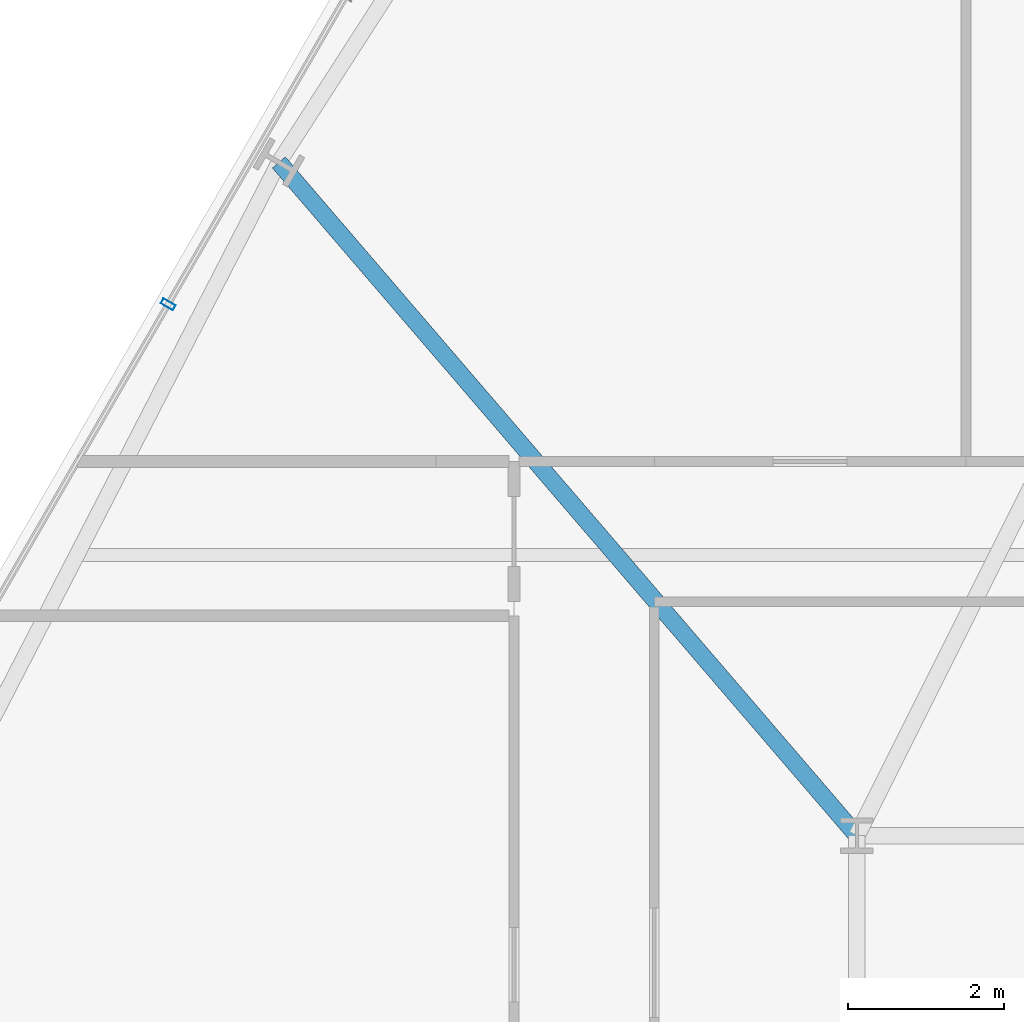
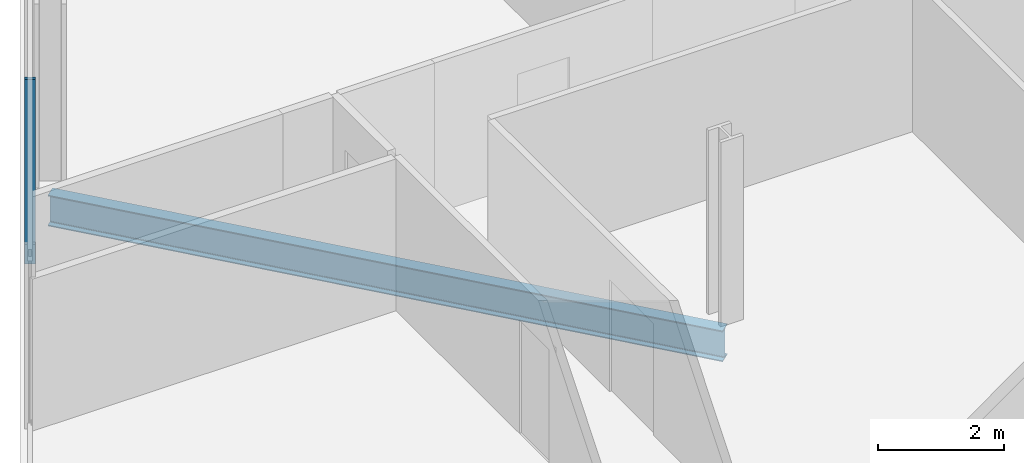
# One storey, part 12 of 32: 1 beam, 1 member, 1 element without a shape of its own.
"""IFC4 building model written with IfcOpenShell, lengths in metres."""

from ifc_helpers import new_model, si_unit, direction, frame, origin, origin_2d, place, context, subcontext, project, spatial, hollow_rectangle, i_section, extrude, material, layer, layer_set, material_profile, profile_set, type_object, element, aggregate, save


model = new_model("IFC4")

# Units and contexts
model_context = context("Model", 3, precision=1e-05, world=origin(), true_north=direction((0.0, 1.0)))
body_context = subcontext(model_context, "Body", "Model", "MODEL_VIEW")
ifc_project = project(units=[si_unit("LENGTHUNIT", "METRE"), si_unit("AREAUNIT", "SQUARE_METRE"), si_unit("VOLUMEUNIT", "CUBIC_METRE"), si_unit("PLANEANGLEUNIT", "RADIAN"), si_unit("MASSUNIT", "GRAM", prefix="KILO")], contexts=[model_context])

# Site, building, storey
site_placement = place(None, origin())
site = spatial("IfcSite", under=ifc_project, at=site_placement, CompositionType="ELEMENT")
building_placement = place(site_placement, origin())
building = spatial("IfcBuilding", under=site, at=building_placement, Name="Ndaravel Arena Tower", CompositionType="ELEMENT")
storey_placement = place(building_placement, frame((0.0, 0.0, 74.0)))
storey = spatial("IfcBuildingStorey", under=building, at=storey_placement, Name="L16", CompositionType="ELEMENT", Elevation=74.0)

# Beam
ifc_material_1 = material(Name="Steel S355", Category="steel")
ifc_material_profile_1 = material_profile(ifc_material_1, i_section(OverallWidth=0.219970703125, OverallDepth=0.60009765625, WebThickness=0.011962890625, FlangeThickness=0.01904296875, FilletRadius=0.02392578125, at=origin_2d()), Name="IPE 600")
ifc_profile_set_1 = profile_set([ifc_material_profile_1], Name="Steel S355")
beam_type = type_object("IfcBeamType", Name="BM-GIRD-IPE600", PredefinedType="BEAM", material=ifc_profile_set_1)
beam_placement = place(storey_placement, frame((26.783203125, 31.836181640625, -0.52001953125), z_axis=(0.651513436651, -0.758637094969, 0.0), x_axis=(0.758637094969, 0.651513436651, 0.0)))
element("IfcBeam", 1, at=beam_placement, inside=storey, type_object=beam_type, Name="L16 Radial Floor Girder FG-19", PredefinedType="BEAM", context=body_context, shape_type="SweptSolid", body=[
    extrude(i_section(OverallWidth=0.219970703125, OverallDepth=0.60009765625, WebThickness=0.011962890625, FlangeThickness=0.01904296875, FilletRadius=0.02392578125, at=origin_2d()), origin(), (0.0, 0.0, 1.0), 11.3837890625),
])

# Curtain wall, member
ifc_material_2 = material(Name="Aluminium", Category="aluminium")
ifc_layer = layer(ifc_material_2, 0.179931640625)
ifc_layer_set = layer_set([ifc_layer], Name="Aluminium")
curtain_wall_type = type_object("IfcCurtainWallType", Name="CW-SYS-03", PredefinedType="NOTDEFINED", material=ifc_layer_set)
curtain_wall_placement = place(storey_placement, origin())
curtain_wall = element("IfcCurtainWall", 2, at=curtain_wall_placement, inside=storey, type_object=curtain_wall_type, Name="L16 Faceted Crystal Curtain Wall CW-L16-E05", PredefinedType="NOTDEFINED")
ifc_material_3 = material(Name="Aluminium", Category="aluminium")
ifc_material_profile_2 = material_profile(ifc_material_3, hollow_rectangle(XDim=0.074951171875, YDim=0.179931640625, WallThickness=0.00390625, at=origin_2d()), Name="CW MULLION 75x180x4")
ifc_profile_set_2 = profile_set([ifc_material_profile_2], Name="Aluminium")
member_type = type_object("IfcMemberType", Name="MEM-CW-MUL180", PredefinedType="MULLION", material=ifc_profile_set_2)
member_placement = place(storey_placement, frame((25.362060546875, 30.014892578125, 0.0), z_axis=(0.0, 0.0, 1.0), x_axis=(-0.5, -0.866025403784, 0.0)))
member = element("IfcMember", 3, at=member_placement, type_object=member_type, Name="CW-L16-E05 Mullion 04", PredefinedType="MULLION", context=body_context, shape_type="SweptSolid", body=[
    extrude(hollow_rectangle(XDim=0.074951171875, YDim=0.179931640625, WallThickness=0.00390625, at=origin_2d()), origin(), (0.0, 0.0, 1.0), 3.580078125),
])
aggregate(curtain_wall, [member])

save(model, "model.ifc")
